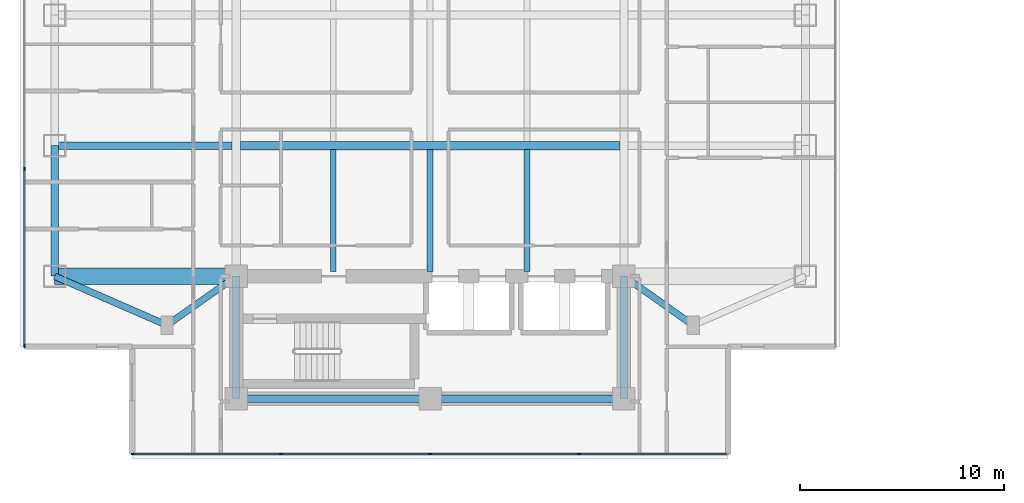
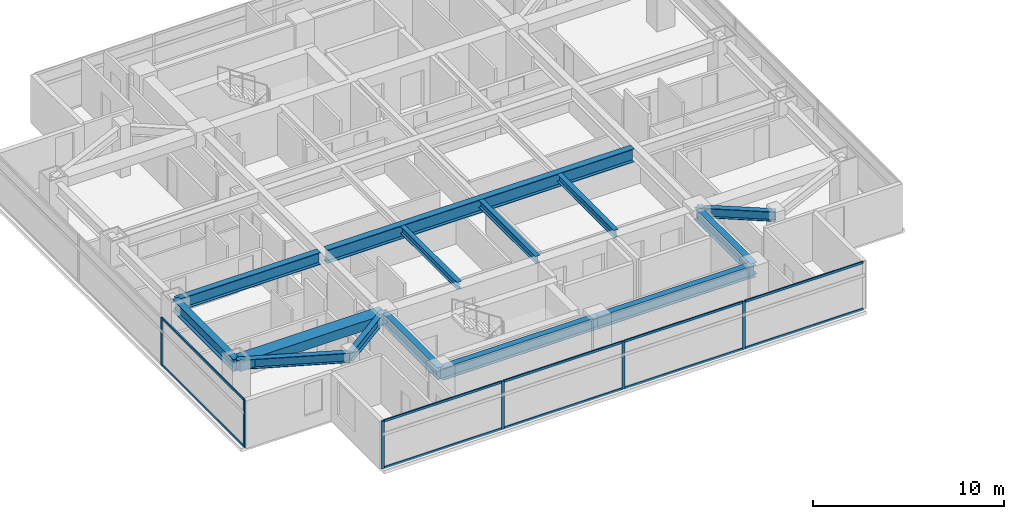
# One storey, part 2 of 24: 16 members, 14 beams, 2 elements without a shape of their own.
"""IFC4 building model written with IfcOpenShell, lengths in metres."""

from ifc_helpers import new_model, si_unit, direction, frame, origin, origin_2d, place, context, subcontext, project, spatial, rectangle, i_section, extrude, material, material_profile, profile_set, type_object, element, aggregate, save


model = new_model("IFC4")

# Units and contexts
model_context = context("Model", 3, precision=1e-05, world=origin(), true_north=direction((0.0, 1.0)))
body_context = subcontext(model_context, "Body", "Model", "MODEL_VIEW")
ifc_project = project(units=[si_unit("LENGTHUNIT", "METRE"), si_unit("AREAUNIT", "SQUARE_METRE"), si_unit("VOLUMEUNIT", "CUBIC_METRE"), si_unit("PLANEANGLEUNIT", "RADIAN"), si_unit("MASSUNIT", "GRAM", prefix="KILO")], contexts=[model_context])

# Site, building, storey
site_placement = place(None, origin())
site = spatial("IfcSite", under=ifc_project, at=site_placement, CompositionType="ELEMENT")
building_placement = place(site_placement, origin())
building = spatial("IfcBuilding", under=site, at=building_placement, Name="Mirazonda Arch Towers", CompositionType="ELEMENT")
storey_placement = place(building_placement, frame((0.0, 0.0, 118.10009765625)))
storey = spatial("IfcBuildingStorey", under=building, at=storey_placement, Name="L33", CompositionType="ELEMENT", Elevation=118.10009765625)

# Beams
ifc_material_1 = material(Name="Steel ASTM A992 Grade 50", Category="steel")
ifc_material_profile_1 = material_profile(ifc_material_1, i_section(OverallWidth=0.381103515625, OverallDepth=0.77294921875, WebThickness=0.0166015625, FlangeThickness=0.027099609375, at=origin_2d()), Name="W30X173")
ifc_profile_set_1 = profile_set([ifc_material_profile_1], Name="Steel ASTM A992 Grade 50")
beam_type_1 = type_object("IfcBeamType", Name="BM-EXT-W30X173", PredefinedType="USERDEFINED", material=ifc_profile_set_1)
beam_1_placement = place(storey_placement, frame((2.10009765625, 18.39990234375, 2.693359375), z_axis=(0.0, 1.0, 0.0), x_axis=(-1.0, 0.0, 0.0)))
element("IfcBeam", 1, at=beam_1_placement, inside=storey, type_object=beam_type_1, Name="L33 Floor Beam BM-T1-L33-NS-W-18", ObjectType="GIRDER", PredefinedType="USERDEFINED", context=body_context, shape_type="SweptSolid", body=[
    extrude(i_section(OverallWidth=0.381103515625, OverallDepth=0.77294921875, WebThickness=0.0166015625, FlangeThickness=0.027099609375, at=origin_2d()), origin(), (0.0, 0.0, 1.0), 6.400146484375),
])
ifc_material_profile_2 = material_profile(ifc_material_1, i_section(OverallWidth=0.280029296875, OverallDepth=0.462890625, WebThickness=0.0107421875, FlangeThickness=0.017333984375, at=origin_2d()), Name="W18X76")
ifc_profile_set_2 = profile_set([ifc_material_profile_2], Name="Steel ASTM A992 Grade 50")
beam_type_2 = type_object("IfcBeamType", Name="BM-INT-W18X76", PredefinedType="JOIST", material=ifc_profile_set_2)
for number, where, z_axis, x_axis, name in (
    (2, (15.75, 18.639892578125, 2.848388671875), (0.0, 1.0, 0.0), (-1.0, 0.0, 0.0), "L33 Floor Beam BM-T1-L33-J-157-18"),
    (3, (20.5, 18.639892578125, 2.848388671875), (0.0, 1.0, 0.0), (-1.0, 0.0, 0.0), "L33 Floor Beam BM-T1-L33-J-205-18"),
    (4, (25.25, 18.639892578125, 2.848388671875), (0.0, 1.0, 0.0), (-1.0, 0.0, 0.0), "L33 Floor Beam BM-T1-L33-J-252-18"),
):
    element("IfcBeam", number, at=place(storey_placement, frame(where, z_axis=z_axis, x_axis=x_axis)), inside=storey, type_object=beam_type_2, Name=name, PredefinedType="JOIST", context=body_context, shape_type="SweptSolid", body=[
        extrude(i_section(OverallWidth=0.280029296875, OverallDepth=0.462890625, WebThickness=0.0107421875, FlangeThickness=0.017333984375, at=origin_2d()), origin(), (0.0, 0.0, 1.0), 5.964111328125),
    ])
ifc_material_profile_3 = material_profile(ifc_material_1, i_section(OverallWidth=0.324951171875, OverallDepth=0.615966796875, WebThickness=0.013916015625, FlangeThickness=0.021484375, at=origin_2d()), Name="W24X117")
ifc_profile_set_3 = profile_set([ifc_material_profile_3], Name="Steel ASTM A992 Grade 50")
beam_type_3 = type_object("IfcBeamType", Name="BM-INT-W24X117", PredefinedType="BEAM", material=ifc_profile_set_3)
beam_2_placement = place(storey_placement, frame((7.60009765625, 16.0, 2.77197265625), z_axis=(0.816971114901, 0.576678591087, 0.0), x_axis=(-0.576678591087, 0.816971114901, 0.0)))
element("IfcBeam", 5, at=beam_2_placement, inside=storey, type_object=beam_type_3, Name="L33 Floor Beam BM-T1-L33-PL-SW1", PredefinedType="BEAM", context=body_context, shape_type="SweptSolid", body=[
    extrude(i_section(OverallWidth=0.324951171875, OverallDepth=0.615966796875, WebThickness=0.013916015625, FlangeThickness=0.021484375, at=origin_2d()), origin(), (0.0, 0.0, 1.0), 4.16162109375),
])
beam_3_placement = place(storey_placement, frame((7.60009765625, 16.0, 2.77197265625), z_axis=(-0.916545343703, 0.399930785183, 0.0), x_axis=(-0.399930785183, -0.916545343703, 0.0)))
element("IfcBeam", 6, at=beam_3_placement, inside=storey, type_object=beam_type_3, Name="L33 Floor Beam BM-T1-L33-PL-SW2", PredefinedType="BEAM", context=body_context, shape_type="SweptSolid", body=[
    extrude(i_section(OverallWidth=0.324951171875, OverallDepth=0.615966796875, WebThickness=0.013916015625, FlangeThickness=0.021484375, at=origin_2d()), origin(), (0.0, 0.0, 1.0), 6.000732421875),
])
beam_4_placement = place(storey_placement, frame((33.39990234375, 16.0, 2.77197265625), z_axis=(-0.816971114901, 0.576678591087, 0.0), x_axis=(-0.576678591087, -0.816971114901, 0.0)))
element("IfcBeam", 7, at=beam_4_placement, inside=storey, type_object=beam_type_3, Name="L33 Floor Beam BM-T1-L33-PL-SE1", PredefinedType="BEAM", context=body_context, shape_type="SweptSolid", body=[
    extrude(i_section(OverallWidth=0.324951171875, OverallDepth=0.615966796875, WebThickness=0.013916015625, FlangeThickness=0.021484375, at=origin_2d()), origin(), (0.0, 0.0, 1.0), 4.16162109375),
])
ifc_material_profile_4 = material_profile(ifc_material_1, i_section(OverallWidth=0.381103515625, OverallDepth=0.77294921875, WebThickness=0.0166015625, FlangeThickness=0.027099609375, at=origin_2d()), Name="W30X173")
ifc_profile_set_4 = profile_set([ifc_material_profile_4], Name="Steel ASTM A992 Grade 50")
beam_type_4 = type_object("IfcBeamType", Name="BM-INT-W30X173", PredefinedType="USERDEFINED", material=ifc_profile_set_4)
beam_5_placement = place(storey_placement, frame((2.10009765625, 24.800048828125, 2.693359375), z_axis=(1.0, 0.0, 0.0), x_axis=(0.0, 1.0, 0.0)))
element("IfcBeam", 8, at=beam_5_placement, inside=storey, type_object=beam_type_4, Name="L33 Floor Beam BM-T1-L33-GW2", ObjectType="GIRDER", PredefinedType="USERDEFINED", context=body_context, shape_type="SweptSolid", body=[
    extrude(i_section(OverallWidth=0.381103515625, OverallDepth=0.77294921875, WebThickness=0.0166015625, FlangeThickness=0.027099609375, at=origin_2d()), origin(), (0.0, 0.0, 1.0), 8.699951171875),
])
for number, where, z_axis, x_axis, name in (
    (9, (11.0, 12.39990234375, 2.693359375), (1.0, 0.0, 0.0), (0.0, 1.0, 0.0), "L33 Floor Beam BM-T1-L33-CS1"),
    (10, (20.5, 12.39990234375, 2.693359375), (1.0, 0.0, 0.0), (0.0, 1.0, 0.0), "L33 Floor Beam BM-T1-L33-CS2"),
):
    element("IfcBeam", number, at=place(storey_placement, frame(where, z_axis=z_axis, x_axis=x_axis)), inside=storey, type_object=beam_type_4, Name=name, ObjectType="GIRDER", PredefinedType="USERDEFINED", context=body_context, shape_type="SweptSolid", body=[
        extrude(i_section(OverallWidth=0.381103515625, OverallDepth=0.77294921875, WebThickness=0.0166015625, FlangeThickness=0.027099609375, at=origin_2d()), origin(), (0.0, 0.0, 1.0), 9.5),
    ])
for number, where, z_axis, x_axis, name in (
    (11, (11.0, 12.39990234375, 2.693359375), (0.0, 1.0, 0.0), (-1.0, 0.0, 0.0), "L33 Floor Beam BM-T1-L33-CSW"),
    (12, (30.0, 12.39990234375, 2.693359375), (0.0, 1.0, 0.0), (-1.0, 0.0, 0.0), "L33 Floor Beam BM-T1-L33-CSE"),
):
    element("IfcBeam", number, at=place(storey_placement, frame(where, z_axis=z_axis, x_axis=x_axis)), inside=storey, type_object=beam_type_4, Name=name, ObjectType="GIRDER", PredefinedType="USERDEFINED", context=body_context, shape_type="SweptSolid", body=[
        extrude(i_section(OverallWidth=0.381103515625, OverallDepth=0.77294921875, WebThickness=0.0166015625, FlangeThickness=0.027099609375, at=origin_2d()), origin(), (0.0, 0.0, 1.0), 6.0),
    ])
ifc_material_profile_5 = material_profile(ifc_material_1, i_section(OverallWidth=0.39990234375, OverallDepth=0.85595703125, WebThickness=0.018310546875, FlangeThickness=0.029296875, at=origin_2d()), Name="W33X201")
ifc_profile_set_5 = profile_set([ifc_material_profile_5], Name="Steel ASTM A992 Grade 50")
beam_type_5 = type_object("IfcBeamType", Name="BM-INT-W33X201", PredefinedType="USERDEFINED", material=ifc_profile_set_5)
beam_6_placement = place(storey_placement, frame((11.199951171875, 24.800048828125, 2.65185546875), z_axis=(1.0, 0.0, 0.0), x_axis=(0.0, 1.0, 0.0)))
element("IfcBeam", 13, at=beam_6_placement, inside=storey, type_object=beam_type_5, Name="L33 Floor Beam BM-T1-L33-GC2", ObjectType="GIRDER", PredefinedType="USERDEFINED", context=body_context, shape_type="SweptSolid", body=[
    extrude(i_section(OverallWidth=0.39990234375, OverallDepth=0.85595703125, WebThickness=0.018310546875, FlangeThickness=0.029296875, at=origin_2d()), origin(), (0.0, 0.0, 1.0), 18.60009765625),
])
ifc_material_2 = material(Name="Concrete C60/75", Category="concrete")
ifc_material_profile_6 = material_profile(ifc_material_2, rectangle(XDim=0.800048828125, YDim=0.60009765625, at=origin_2d()), Name="RCCB800x600")
ifc_profile_set_6 = profile_set([ifc_material_profile_6], Name="Concrete C60/75")
beam_type_6 = type_object("IfcBeamType", Name="CB-INT-RCCB800x600", PredefinedType="SPANDREL", material=ifc_profile_set_6)
beam_7_placement = place(storey_placement, frame((2.10009765625, 18.39990234375, 2.77978515625), z_axis=(1.0, 0.0, 0.0), x_axis=(0.0, 1.0, 0.0)))
element("IfcBeam", 14, at=beam_7_placement, inside=storey, type_object=beam_type_6, Name="L33 Floor Beam CBC-T1-L33-SW", PredefinedType="SPANDREL", context=body_context, shape_type="SweptSolid", body=[
    extrude(rectangle(XDim=0.800048828125, YDim=0.60009765625, at=origin_2d()), origin(), (0.0, 0.0, 1.0), 8.89990234375),
])

# Curtain wall, members
ifc_material_3 = material(Name="Anodised Aluminium and Low-E Glass", Category="aluminium")
curtain_wall_type = type_object("IfcCurtainWallType", Name="CW-HTL-UNIT", PredefinedType="NOTDEFINED", material=ifc_material_3)
curtain_wall_1_placement = place(storey_placement, origin())
curtain_wall_1 = element("IfcCurtainWall", 15, at=curtain_wall_1_placement, inside=storey, type_object=curtain_wall_type, Name="L33 T1 S Facade CW-L33-T1-S", PredefinedType="NOTDEFINED")
ifc_material_4 = material(Name="Anodised Aluminium Alloy", Category="aluminium")
ifc_material_profile_7 = material_profile(ifc_material_4, rectangle(XDim=0.074951171875, YDim=0.1650390625, at=origin_2d()), Name="ALU-MULL-75x165")
ifc_profile_set_7 = profile_set([ifc_material_profile_7], Name="Anodised Aluminium Alloy")
member_type_1 = type_object("IfcMemberType", Name="MULL-CW-HTL-UNIT", PredefinedType="MULLION", material=ifc_profile_set_7)
member_1_placement = place(storey_placement, frame((27.804931640625, 9.679931640625, 0.0), z_axis=(0.0, 0.0, 1.0), x_axis=(0.0, -1.0, 0.0)))
member_1 = element("IfcMember", 16, at=member_1_placement, type_object=member_type_1, Name="CW-112 mullion 2", PredefinedType="MULLION", context=body_context, shape_type="SweptSolid", body=[
    extrude(rectangle(XDim=0.074951171875, YDim=0.1650390625, at=origin_2d()), origin(), (0.0, 0.0, 1.0), 3.059814453125),
])
member_2_placement = place(storey_placement, frame((20.5, 9.679931640625, 0.0), z_axis=(0.0, 0.0, 1.0), x_axis=(0.0, -1.0, 0.0)))
member_2 = element("IfcMember", 17, at=member_2_placement, type_object=member_type_1, Name="CW-112 mullion 3", PredefinedType="MULLION", context=body_context, shape_type="SweptSolid", body=[
    extrude(rectangle(XDim=0.074951171875, YDim=0.1650390625, at=origin_2d()), origin(), (0.0, 0.0, 1.0), 3.059814453125),
])
member_3_placement = place(storey_placement, frame((13.195068359375, 9.679931640625, 0.0), z_axis=(0.0, 0.0, 1.0), x_axis=(0.0, -1.0, 0.0)))
member_3 = element("IfcMember", 18, at=member_3_placement, type_object=member_type_1, Name="CW-112 mullion 4", PredefinedType="MULLION", context=body_context, shape_type="SweptSolid", body=[
    extrude(rectangle(XDim=0.074951171875, YDim=0.1650390625, at=origin_2d()), origin(), (0.0, 0.0, 1.0), 3.059814453125),
])
member_4_placement = place(storey_placement, frame((5.927490234375, 9.679931640625, 0.0), z_axis=(0.0, 0.0, 1.0), x_axis=(0.0, -1.0, 0.0)))
member_4 = element("IfcMember", 19, at=member_4_placement, type_object=member_type_1, Name="CW-112 mullion 5", PredefinedType="MULLION", context=body_context, shape_type="SweptSolid", body=[
    extrude(rectangle(XDim=0.074951171875, YDim=0.1650390625, at=origin_2d()), origin(), (0.0, 0.0, 1.0), 3.059814453125),
])

curtain_wall_2_placement = place(storey_placement, origin())
curtain_wall_2 = element("IfcCurtainWall", 20, at=curtain_wall_2_placement, inside=storey, type_object=curtain_wall_type, Name="L33 T1 W Facade CW-L33-T1-W", PredefinedType="NOTDEFINED")
member_5_placement = place(storey_placement, frame((0.6201171875, 23.64990234375, 0.0), z_axis=(0.0, 0.0, 1.0), x_axis=(1.0, 0.0, 0.0)))
member_5 = element("IfcMember", 21, at=member_5_placement, type_object=member_type_1, Name="CW-112 mullion 3", PredefinedType="MULLION", context=body_context, shape_type="SweptSolid", body=[
    extrude(rectangle(XDim=0.074951171875, YDim=0.1650390625, at=origin_2d()), origin(), (0.0, 0.0, 1.0), 3.059814453125),
])
member_6_placement = place(storey_placement, frame((0.6201171875, 14.987548828125, 0.0), z_axis=(0.0, 0.0, 1.0), x_axis=(1.0, 0.0, 0.0)))
member_6 = element("IfcMember", 22, at=member_6_placement, type_object=member_type_1, Name="CW-112 mullion 4", PredefinedType="MULLION", context=body_context, shape_type="SweptSolid", body=[
    extrude(rectangle(XDim=0.074951171875, YDim=0.1650390625, at=origin_2d()), origin(), (0.0, 0.0, 1.0), 3.059814453125),
])

# Member
ifc_material_profile_8 = material_profile(ifc_material_4, rectangle(XDim=0.074951171875, YDim=0.14501953125, at=origin_2d()), Name="ALU-TRAN-75x145")
ifc_profile_set_8 = profile_set([ifc_material_profile_8], Name="Anodised Aluminium Alloy")
member_type_2 = type_object("IfcMemberType", Name="TRAN-CW-HTL-UNIT", PredefinedType="USERDEFINED", material=ifc_profile_set_8)
member_7_placement = place(storey_placement, frame((35.034912109375, 9.679931640625, 0.037353515625), z_axis=(-1.0, 0.0, 0.0), x_axis=(0.0, -1.0, 0.0)))
member_7 = element("IfcMember", 23, at=member_7_placement, type_object=member_type_2, Name="CW-112 transom 1.1", ObjectType="TRANSOM", PredefinedType="USERDEFINED", context=body_context, shape_type="SweptSolid", body=[
    extrude(rectangle(XDim=0.074951171875, YDim=0.14501953125, at=origin_2d()), origin(), (0.0, 0.0, 1.0), 7.1923828125),
])

member_8_placement = place(storey_placement, frame((35.034912109375, 9.679931640625, 3.0224609375), z_axis=(-1.0, 0.0, 0.0), x_axis=(0.0, -1.0, 0.0)))
member_8 = element("IfcMember", 24, at=member_8_placement, type_object=member_type_2, Name="CW-112 transom 1.2", ObjectType="TRANSOM", PredefinedType="USERDEFINED", context=body_context, shape_type="SweptSolid", body=[
    extrude(rectangle(XDim=0.074951171875, YDim=0.14501953125, at=origin_2d()), origin(), (0.0, 0.0, 1.0), 7.1923828125),
])

member_9_placement = place(storey_placement, frame((27.767578125, 9.679931640625, 0.037353515625), z_axis=(-1.0, 0.0, 0.0), x_axis=(0.0, -1.0, 0.0)))
member_9 = element("IfcMember", 25, at=member_9_placement, type_object=member_type_2, Name="CW-112 transom 2.1", ObjectType="TRANSOM", PredefinedType="USERDEFINED", context=body_context, shape_type="SweptSolid", body=[
    extrude(rectangle(XDim=0.074951171875, YDim=0.14501953125, at=origin_2d()), origin(), (0.0, 0.0, 1.0), 7.22998046875),
])

member_10_placement = place(storey_placement, frame((27.767578125, 9.679931640625, 3.0224609375), z_axis=(-1.0, 0.0, 0.0), x_axis=(0.0, -1.0, 0.0)))
member_10 = element("IfcMember", 26, at=member_10_placement, type_object=member_type_2, Name="CW-112 transom 2.2", ObjectType="TRANSOM", PredefinedType="USERDEFINED", context=body_context, shape_type="SweptSolid", body=[
    extrude(rectangle(XDim=0.074951171875, YDim=0.14501953125, at=origin_2d()), origin(), (0.0, 0.0, 1.0), 7.22998046875),
])

member_11_placement = place(storey_placement, frame((20.46240234375, 9.679931640625, 0.037353515625), z_axis=(-1.0, 0.0, 0.0), x_axis=(0.0, -1.0, 0.0)))
member_11 = element("IfcMember", 27, at=member_11_placement, type_object=member_type_2, Name="CW-112 transom 3.1", ObjectType="TRANSOM", PredefinedType="USERDEFINED", context=body_context, shape_type="SweptSolid", body=[
    extrude(rectangle(XDim=0.074951171875, YDim=0.14501953125, at=origin_2d()), origin(), (0.0, 0.0, 1.0), 7.22998046875),
])

member_12_placement = place(storey_placement, frame((20.46240234375, 9.679931640625, 3.0224609375), z_axis=(-1.0, 0.0, 0.0), x_axis=(0.0, -1.0, 0.0)))
member_12 = element("IfcMember", 28, at=member_12_placement, type_object=member_type_2, Name="CW-112 transom 3.2", ObjectType="TRANSOM", PredefinedType="USERDEFINED", context=body_context, shape_type="SweptSolid", body=[
    extrude(rectangle(XDim=0.074951171875, YDim=0.14501953125, at=origin_2d()), origin(), (0.0, 0.0, 1.0), 7.22998046875),
])

member_13_placement = place(storey_placement, frame((13.157470703125, 9.679931640625, 0.037353515625), z_axis=(-1.0, 0.0, 0.0), x_axis=(0.0, -1.0, 0.0)))
member_13 = element("IfcMember", 29, at=member_13_placement, type_object=member_type_2, Name="CW-112 transom 4.1", ObjectType="TRANSOM", PredefinedType="USERDEFINED", context=body_context, shape_type="SweptSolid", body=[
    extrude(rectangle(XDim=0.074951171875, YDim=0.14501953125, at=origin_2d()), origin(), (0.0, 0.0, 1.0), 7.1923828125),
])

member_14_placement = place(storey_placement, frame((13.157470703125, 9.679931640625, 3.0224609375), z_axis=(-1.0, 0.0, 0.0), x_axis=(0.0, -1.0, 0.0)))
member_14 = element("IfcMember", 30, at=member_14_placement, type_object=member_type_2, Name="CW-112 transom 4.2", ObjectType="TRANSOM", PredefinedType="USERDEFINED", context=body_context, shape_type="SweptSolid", body=[
    extrude(rectangle(XDim=0.074951171875, YDim=0.14501953125, at=origin_2d()), origin(), (0.0, 0.0, 1.0), 7.1923828125),
])

aggregate(curtain_wall_1, [member_1, member_2, member_3, member_4, member_7, member_8, member_9, member_10, member_11, member_12, member_13, member_14])

member_15_placement = place(storey_placement, frame((0.6201171875, 23.612548828125, 0.037353515625), z_axis=(0.0, -1.0, 0.0), x_axis=(1.0, 0.0, 0.0)))
member_15 = element("IfcMember", 31, at=member_15_placement, type_object=member_type_2, Name="CW-112 transom 3.1", ObjectType="TRANSOM", PredefinedType="USERDEFINED", context=body_context, shape_type="SweptSolid", body=[
    extrude(rectangle(XDim=0.074951171875, YDim=0.14501953125, at=origin_2d()), origin(), (0.0, 0.0, 1.0), 8.587646484375),
])

member_16_placement = place(storey_placement, frame((0.6201171875, 23.612548828125, 3.0224609375), z_axis=(0.0, -1.0, 0.0), x_axis=(1.0, 0.0, 0.0)))
member_16 = element("IfcMember", 32, at=member_16_placement, type_object=member_type_2, Name="CW-112 transom 3.2", ObjectType="TRANSOM", PredefinedType="USERDEFINED", context=body_context, shape_type="SweptSolid", body=[
    extrude(rectangle(XDim=0.074951171875, YDim=0.14501953125, at=origin_2d()), origin(), (0.0, 0.0, 1.0), 8.587646484375),
])

aggregate(curtain_wall_2, [member_5, member_6, member_15, member_16])

save(model, "model.ifc")
